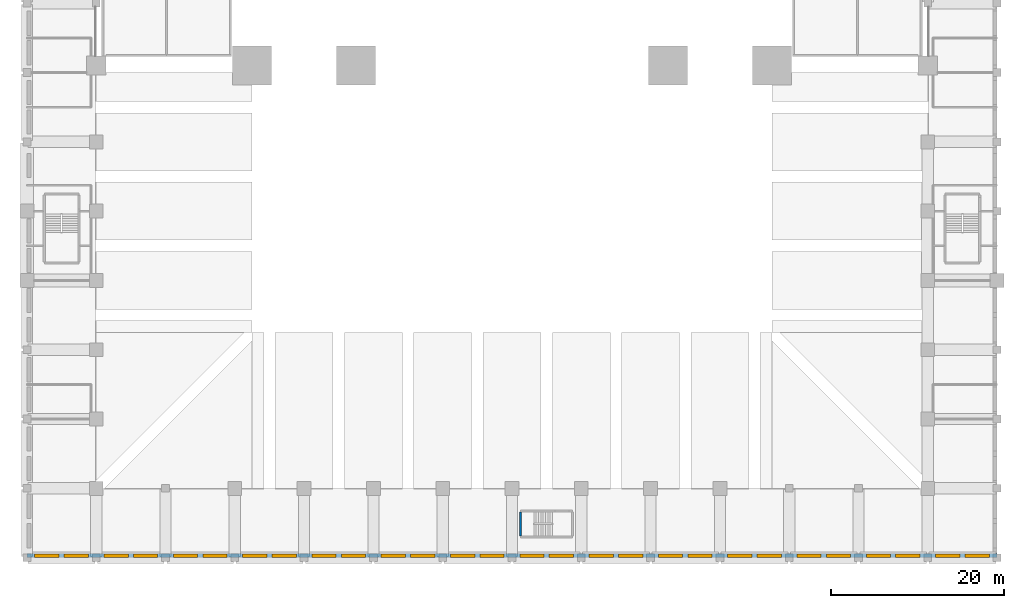
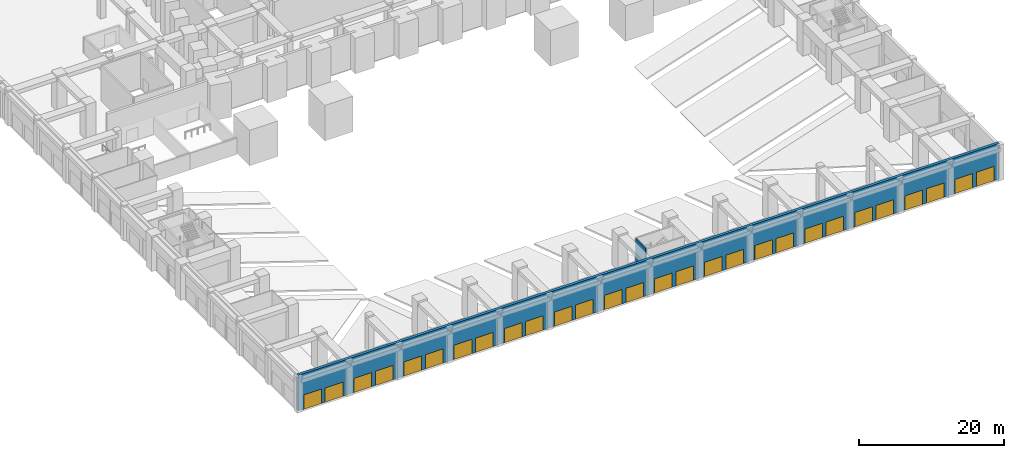
# One storey, part 7 of 28: 28 doors, 2 walls, 28 openings.
"""IFC4 building model written with IfcOpenShell, lengths in metres."""

from ifc_helpers import new_model, si_unit, direction, frame, frame_2d, origin, place, context, subcontext, project, spatial, rectangle, extrude, material, layer, layer_set, type_object, element, fill, save


model = new_model("IFC4")

# Units and contexts
model_context = context("Model", 3, precision=1e-05, world=origin(), true_north=direction((0.0, 1.0)))
body_context = subcontext(model_context, "Body", "Model", "MODEL_VIEW")
ifc_project = project(units=[si_unit("LENGTHUNIT", "METRE"), si_unit("AREAUNIT", "SQUARE_METRE"), si_unit("VOLUMEUNIT", "CUBIC_METRE"), si_unit("PLANEANGLEUNIT", "RADIAN"), si_unit("MASSUNIT", "GRAM", prefix="KILO")], contexts=[model_context])

# Site, building, storey
site_placement = place(None, origin())
site = spatial("IfcSite", under=ifc_project, at=site_placement, CompositionType="ELEMENT")
building_placement = place(site_placement, origin())
building = spatial("IfcBuilding", under=site, at=building_placement, Name="Isbrekke Arena Tower", CompositionType="ELEMENT")
storey_placement = place(building_placement, origin())
storey = spatial("IfcBuildingStorey", under=building, at=storey_placement, Name="L00", CompositionType="ELEMENT", Elevation=0.0)

# Wall, openings, doors
ifc_material_1 = material(Name="Pale brick facing on concrete backing wall", Category="masonry")
ifc_layer_1 = layer(ifc_material_1, 0.449951171875)
ifc_layer_set_1 = layer_set([ifc_layer_1], Name="EW1 PODIUM BRICK WALL 450")
wall_type_1 = type_object("IfcWallType", Name="EW1 PODIUM BRICK WALL 450", PredefinedType="SOLIDWALL", material=ifc_layer_set_1)
wall_1_placement = place(storey_placement, frame((-56.0, -73.77490234375, 0.0), z_axis=(0.0, 0.0, 1.0), x_axis=(1.0, 0.0, 0.0)))
wall_1 = element("IfcWall", 1, at=wall_1_placement, inside=storey, type_object=wall_type_1, Name="EW1 podium wall S L00", PredefinedType="SOLIDWALL", context=body_context, shape_type="SweptSolid", body=[
    extrude(rectangle(XDim=112.0, YDim=0.449951171875, at=frame_2d((56.0, 0.0))), origin(), (0.0, 0.0, 1.0), 6.0),
])
opening_1_placement = place(wall_1_placement, frame((0.89990234375, 0.0, 0.0)))
opening_1 = element("IfcOpeningElement", 2, at=opening_1_placement, cuts=wall_1, Name="Opening DE1", PredefinedType="OPENING", context=body_context, shape_type="SweptSolid", body=[
    extrude(rectangle(XDim=2.800048828125, YDim=2.39990234375, at=frame_2d((1.39990234375, 1.199951171875))), frame((0.0, 0.23974609375, 0.0), z_axis=(0.0, -1.0, 0.0), x_axis=(1.0, 0.0, 0.0)), (0.0, 0.0, 1.0), 0.479736328125),
])
opening_2_placement = place(wall_1_placement, frame((4.300048828125, 0.0, 0.0)))
opening_2 = element("IfcOpeningElement", 3, at=opening_2_placement, cuts=wall_1, Name="Opening DE1", PredefinedType="OPENING", context=body_context, shape_type="SweptSolid", body=[
    extrude(rectangle(XDim=2.800048828125, YDim=2.39990234375, at=frame_2d((1.39990234375, 1.199951171875))), frame((0.0, 0.23974609375, 0.0), z_axis=(0.0, -1.0, 0.0), x_axis=(1.0, 0.0, 0.0)), (0.0, 0.0, 1.0), 0.479736328125),
])
opening_3_placement = place(wall_1_placement, frame((8.89990234375, 0.0, 0.0)))
opening_3 = element("IfcOpeningElement", 4, at=opening_3_placement, cuts=wall_1, Name="Opening DE1", PredefinedType="OPENING", context=body_context, shape_type="SweptSolid", body=[
    extrude(rectangle(XDim=2.800048828125, YDim=2.39990234375, at=frame_2d((1.39990234375, 1.199951171875))), frame((0.0, 0.23974609375, 0.0), z_axis=(0.0, -1.0, 0.0), x_axis=(1.0, 0.0, 0.0)), (0.0, 0.0, 1.0), 0.479736328125),
])
opening_4_placement = place(wall_1_placement, frame((12.300048828125, 0.0, 0.0)))
opening_4 = element("IfcOpeningElement", 5, at=opening_4_placement, cuts=wall_1, Name="Opening DE1", PredefinedType="OPENING", context=body_context, shape_type="SweptSolid", body=[
    extrude(rectangle(XDim=2.800048828125, YDim=2.39990234375, at=frame_2d((1.39990234375, 1.199951171875))), frame((0.0, 0.23974609375, 0.0), z_axis=(0.0, -1.0, 0.0), x_axis=(1.0, 0.0, 0.0)), (0.0, 0.0, 1.0), 0.479736328125),
])
opening_5_placement = place(wall_1_placement, frame((16.89990234375, 0.0, 0.0)))
opening_5 = element("IfcOpeningElement", 6, at=opening_5_placement, cuts=wall_1, Name="Opening DE1", PredefinedType="OPENING", context=body_context, shape_type="SweptSolid", body=[
    extrude(rectangle(XDim=2.800048828125, YDim=2.39990234375, at=frame_2d((1.39990234375, 1.199951171875))), frame((0.0, 0.23974609375, 0.0), z_axis=(0.0, -1.0, 0.0), x_axis=(1.0, 0.0, 0.0)), (0.0, 0.0, 1.0), 0.479736328125),
])
opening_6_placement = place(wall_1_placement, frame((20.300048828125, 0.0, 0.0)))
opening_6 = element("IfcOpeningElement", 7, at=opening_6_placement, cuts=wall_1, Name="Opening DE1", PredefinedType="OPENING", context=body_context, shape_type="SweptSolid", body=[
    extrude(rectangle(XDim=2.800048828125, YDim=2.39990234375, at=frame_2d((1.39990234375, 1.199951171875))), frame((0.0, 0.23974609375, 0.0), z_axis=(0.0, -1.0, 0.0), x_axis=(1.0, 0.0, 0.0)), (0.0, 0.0, 1.0), 0.479736328125),
])
opening_7_placement = place(wall_1_placement, frame((24.89990234375, 0.0, 0.0)))
opening_7 = element("IfcOpeningElement", 8, at=opening_7_placement, cuts=wall_1, Name="Opening DE1", PredefinedType="OPENING", context=body_context, shape_type="SweptSolid", body=[
    extrude(rectangle(XDim=2.800048828125, YDim=2.39990234375, at=frame_2d((1.39990234375, 1.199951171875))), frame((0.0, 0.23974609375, 0.0), z_axis=(0.0, -1.0, 0.0), x_axis=(1.0, 0.0, 0.0)), (0.0, 0.0, 1.0), 0.479736328125),
])
opening_8_placement = place(wall_1_placement, frame((28.300048828125, 0.0, 0.0)))
opening_8 = element("IfcOpeningElement", 9, at=opening_8_placement, cuts=wall_1, Name="Opening DE1", PredefinedType="OPENING", context=body_context, shape_type="SweptSolid", body=[
    extrude(rectangle(XDim=2.800048828125, YDim=2.39990234375, at=frame_2d((1.39990234375, 1.199951171875))), frame((0.0, 0.23974609375, 0.0), z_axis=(0.0, -1.0, 0.0), x_axis=(1.0, 0.0, 0.0)), (0.0, 0.0, 1.0), 0.479736328125),
])
opening_9_placement = place(wall_1_placement, frame((32.89990234375, 0.0, 0.0)))
opening_9 = element("IfcOpeningElement", 10, at=opening_9_placement, cuts=wall_1, Name="Opening DE1", PredefinedType="OPENING", context=body_context, shape_type="SweptSolid", body=[
    extrude(rectangle(XDim=2.800048828125, YDim=2.39990234375, at=frame_2d((1.39990234375, 1.199951171875))), frame((0.0, 0.23974609375, 0.0), z_axis=(0.0, -1.0, 0.0), x_axis=(1.0, 0.0, 0.0)), (0.0, 0.0, 1.0), 0.479736328125),
])
opening_10_placement = place(wall_1_placement, frame((36.300048828125, 0.0, 0.0)))
opening_10 = element("IfcOpeningElement", 11, at=opening_10_placement, cuts=wall_1, Name="Opening DE1", PredefinedType="OPENING", context=body_context, shape_type="SweptSolid", body=[
    extrude(rectangle(XDim=2.800048828125, YDim=2.39990234375, at=frame_2d((1.39990234375, 1.199951171875))), frame((0.0, 0.23974609375, 0.0), z_axis=(0.0, -1.0, 0.0), x_axis=(1.0, 0.0, 0.0)), (0.0, 0.0, 1.0), 0.479736328125),
])
opening_11_placement = place(wall_1_placement, frame((40.89990234375, 0.0, 0.0)))
opening_11 = element("IfcOpeningElement", 12, at=opening_11_placement, cuts=wall_1, Name="Opening DE1", PredefinedType="OPENING", context=body_context, shape_type="SweptSolid", body=[
    extrude(rectangle(XDim=2.800048828125, YDim=2.39990234375, at=frame_2d((1.39990234375, 1.199951171875))), frame((0.0, 0.23974609375, 0.0), z_axis=(0.0, -1.0, 0.0), x_axis=(1.0, 0.0, 0.0)), (0.0, 0.0, 1.0), 0.479736328125),
])
opening_12_placement = place(wall_1_placement, frame((44.300048828125, 0.0, 0.0)))
opening_12 = element("IfcOpeningElement", 13, at=opening_12_placement, cuts=wall_1, Name="Opening DE1", PredefinedType="OPENING", context=body_context, shape_type="SweptSolid", body=[
    extrude(rectangle(XDim=2.800048828125, YDim=2.39990234375, at=frame_2d((1.39990234375, 1.199951171875))), frame((0.0, 0.23974609375, 0.0), z_axis=(0.0, -1.0, 0.0), x_axis=(1.0, 0.0, 0.0)), (0.0, 0.0, 1.0), 0.479736328125),
])
opening_13_placement = place(wall_1_placement, frame((48.89990234375, 0.0, 0.0)))
opening_13 = element("IfcOpeningElement", 14, at=opening_13_placement, cuts=wall_1, Name="Opening DE1", PredefinedType="OPENING", context=body_context, shape_type="SweptSolid", body=[
    extrude(rectangle(XDim=2.800048828125, YDim=2.39990234375, at=frame_2d((1.39990234375, 1.199951171875))), frame((0.0, 0.23974609375, 0.0), z_axis=(0.0, -1.0, 0.0), x_axis=(1.0, 0.0, 0.0)), (0.0, 0.0, 1.0), 0.479736328125),
])
opening_14_placement = place(wall_1_placement, frame((52.300048828125, 0.0, 0.0)))
opening_14 = element("IfcOpeningElement", 15, at=opening_14_placement, cuts=wall_1, Name="Opening DE1", PredefinedType="OPENING", context=body_context, shape_type="SweptSolid", body=[
    extrude(rectangle(XDim=2.800048828125, YDim=2.39990234375, at=frame_2d((1.39990234375, 1.199951171875))), frame((0.0, 0.23974609375, 0.0), z_axis=(0.0, -1.0, 0.0), x_axis=(1.0, 0.0, 0.0)), (0.0, 0.0, 1.0), 0.479736328125),
])
opening_15_placement = place(wall_1_placement, frame((56.89990234375, 0.0, 0.0)))
opening_15 = element("IfcOpeningElement", 16, at=opening_15_placement, cuts=wall_1, Name="Opening DE1", PredefinedType="OPENING", context=body_context, shape_type="SweptSolid", body=[
    extrude(rectangle(XDim=2.800048828125, YDim=2.39990234375, at=frame_2d((1.39990234375, 1.199951171875))), frame((0.0, 0.23974609375, 0.0), z_axis=(0.0, -1.0, 0.0), x_axis=(1.0, 0.0, 0.0)), (0.0, 0.0, 1.0), 0.479736328125),
])
opening_16_placement = place(wall_1_placement, frame((60.300048828125, 0.0, 0.0)))
opening_16 = element("IfcOpeningElement", 17, at=opening_16_placement, cuts=wall_1, Name="Opening DE1", PredefinedType="OPENING", context=body_context, shape_type="SweptSolid", body=[
    extrude(rectangle(XDim=2.800048828125, YDim=2.39990234375, at=frame_2d((1.39990234375, 1.199951171875))), frame((0.0, 0.23974609375, 0.0), z_axis=(0.0, -1.0, 0.0), x_axis=(1.0, 0.0, 0.0)), (0.0, 0.0, 1.0), 0.479736328125),
])
opening_17_placement = place(wall_1_placement, frame((64.89990234375, 0.0, 0.0)))
opening_17 = element("IfcOpeningElement", 18, at=opening_17_placement, cuts=wall_1, Name="Opening DE1", PredefinedType="OPENING", context=body_context, shape_type="SweptSolid", body=[
    extrude(rectangle(XDim=2.800048828125, YDim=2.39990234375, at=frame_2d((1.39990234375, 1.199951171875))), frame((0.0, 0.23974609375, 0.0), z_axis=(0.0, -1.0, 0.0), x_axis=(1.0, 0.0, 0.0)), (0.0, 0.0, 1.0), 0.479736328125),
])
opening_18_placement = place(wall_1_placement, frame((68.300048828125, 0.0, 0.0)))
opening_18 = element("IfcOpeningElement", 19, at=opening_18_placement, cuts=wall_1, Name="Opening DE1", PredefinedType="OPENING", context=body_context, shape_type="SweptSolid", body=[
    extrude(rectangle(XDim=2.800048828125, YDim=2.39990234375, at=frame_2d((1.39990234375, 1.199951171875))), frame((0.0, 0.23974609375, 0.0), z_axis=(0.0, -1.0, 0.0), x_axis=(1.0, 0.0, 0.0)), (0.0, 0.0, 1.0), 0.479736328125),
])
opening_19_placement = place(wall_1_placement, frame((72.89990234375, 0.0, 0.0)))
opening_19 = element("IfcOpeningElement", 20, at=opening_19_placement, cuts=wall_1, Name="Opening DE1", PredefinedType="OPENING", context=body_context, shape_type="SweptSolid", body=[
    extrude(rectangle(XDim=2.800048828125, YDim=2.39990234375, at=frame_2d((1.39990234375, 1.199951171875))), frame((0.0, 0.23974609375, 0.0), z_axis=(0.0, -1.0, 0.0), x_axis=(1.0, 0.0, 0.0)), (0.0, 0.0, 1.0), 0.479736328125),
])
opening_20_placement = place(wall_1_placement, frame((76.300048828125, 0.0, 0.0)))
opening_20 = element("IfcOpeningElement", 21, at=opening_20_placement, cuts=wall_1, Name="Opening DE1", PredefinedType="OPENING", context=body_context, shape_type="SweptSolid", body=[
    extrude(rectangle(XDim=2.800048828125, YDim=2.39990234375, at=frame_2d((1.39990234375, 1.199951171875))), frame((0.0, 0.23974609375, 0.0), z_axis=(0.0, -1.0, 0.0), x_axis=(1.0, 0.0, 0.0)), (0.0, 0.0, 1.0), 0.479736328125),
])
opening_21_placement = place(wall_1_placement, frame((80.89990234375, 0.0, 0.0)))
opening_21 = element("IfcOpeningElement", 22, at=opening_21_placement, cuts=wall_1, Name="Opening DE1", PredefinedType="OPENING", context=body_context, shape_type="SweptSolid", body=[
    extrude(rectangle(XDim=2.800048828125, YDim=2.39990234375, at=frame_2d((1.39990234375, 1.199951171875))), frame((0.0, 0.23974609375, 0.0), z_axis=(0.0, -1.0, 0.0), x_axis=(1.0, 0.0, 0.0)), (0.0, 0.0, 1.0), 0.479736328125),
])
opening_22_placement = place(wall_1_placement, frame((84.300048828125, 0.0, 0.0)))
opening_22 = element("IfcOpeningElement", 23, at=opening_22_placement, cuts=wall_1, Name="Opening DE1", PredefinedType="OPENING", context=body_context, shape_type="SweptSolid", body=[
    extrude(rectangle(XDim=2.800048828125, YDim=2.39990234375, at=frame_2d((1.39990234375, 1.199951171875))), frame((0.0, 0.23974609375, 0.0), z_axis=(0.0, -1.0, 0.0), x_axis=(1.0, 0.0, 0.0)), (0.0, 0.0, 1.0), 0.479736328125),
])
opening_23_placement = place(wall_1_placement, frame((88.89990234375, 0.0, 0.0)))
opening_23 = element("IfcOpeningElement", 24, at=opening_23_placement, cuts=wall_1, Name="Opening DE1", PredefinedType="OPENING", context=body_context, shape_type="SweptSolid", body=[
    extrude(rectangle(XDim=2.800048828125, YDim=2.39990234375, at=frame_2d((1.39990234375, 1.199951171875))), frame((0.0, 0.23974609375, 0.0), z_axis=(0.0, -1.0, 0.0), x_axis=(1.0, 0.0, 0.0)), (0.0, 0.0, 1.0), 0.479736328125),
])
opening_24_placement = place(wall_1_placement, frame((92.300048828125, 0.0, 0.0)))
opening_24 = element("IfcOpeningElement", 25, at=opening_24_placement, cuts=wall_1, Name="Opening DE1", PredefinedType="OPENING", context=body_context, shape_type="SweptSolid", body=[
    extrude(rectangle(XDim=2.800048828125, YDim=2.39990234375, at=frame_2d((1.39990234375, 1.199951171875))), frame((0.0, 0.23974609375, 0.0), z_axis=(0.0, -1.0, 0.0), x_axis=(1.0, 0.0, 0.0)), (0.0, 0.0, 1.0), 0.479736328125),
])
opening_25_placement = place(wall_1_placement, frame((96.89990234375, 0.0, 0.0)))
opening_25 = element("IfcOpeningElement", 26, at=opening_25_placement, cuts=wall_1, Name="Opening DE1", PredefinedType="OPENING", context=body_context, shape_type="SweptSolid", body=[
    extrude(rectangle(XDim=2.800048828125, YDim=2.39990234375, at=frame_2d((1.39990234375, 1.199951171875))), frame((0.0, 0.23974609375, 0.0), z_axis=(0.0, -1.0, 0.0), x_axis=(1.0, 0.0, 0.0)), (0.0, 0.0, 1.0), 0.479736328125),
])
opening_26_placement = place(wall_1_placement, frame((100.300048828125, 0.0, 0.0)))
opening_26 = element("IfcOpeningElement", 27, at=opening_26_placement, cuts=wall_1, Name="Opening DE1", PredefinedType="OPENING", context=body_context, shape_type="SweptSolid", body=[
    extrude(rectangle(XDim=2.800048828125, YDim=2.39990234375, at=frame_2d((1.39990234375, 1.199951171875))), frame((0.0, 0.23974609375, 0.0), z_axis=(0.0, -1.0, 0.0), x_axis=(1.0, 0.0, 0.0)), (0.0, 0.0, 1.0), 0.479736328125),
])
opening_27_placement = place(wall_1_placement, frame((104.89990234375, 0.0, 0.0)))
opening_27 = element("IfcOpeningElement", 28, at=opening_27_placement, cuts=wall_1, Name="Opening DE1", PredefinedType="OPENING", context=body_context, shape_type="SweptSolid", body=[
    extrude(rectangle(XDim=2.800048828125, YDim=2.39990234375, at=frame_2d((1.39990234375, 1.199951171875))), frame((0.0, 0.23974609375, 0.0), z_axis=(0.0, -1.0, 0.0), x_axis=(1.0, 0.0, 0.0)), (0.0, 0.0, 1.0), 0.479736328125),
])
opening_28_placement = place(wall_1_placement, frame((108.300048828125, 0.0, 0.0)))
opening_28 = element("IfcOpeningElement", 29, at=opening_28_placement, cuts=wall_1, Name="Opening DE1", PredefinedType="OPENING", context=body_context, shape_type="SweptSolid", body=[
    extrude(rectangle(XDim=2.800048828125, YDim=2.39990234375, at=frame_2d((1.39990234375, 1.199951171875))), frame((0.0, 0.23974609375, 0.0), z_axis=(0.0, -1.0, 0.0), x_axis=(1.0, 0.0, 0.0)), (0.0, 0.0, 1.0), 0.479736328125),
])
ifc_material_2 = material(Name="Steel-framed glazed double door", Category="steel")
door_type = type_object("IfcDoorType", Name="DE1 EXIT DOOR 2800 x 2400", OperationType="DOUBLE_DOOR_SINGLE_SWING", PredefinedType="DOOR", material=ifc_material_2)
door_1_placement = place(opening_1_placement, frame((2.800048828125, 0.0, 0.0), z_axis=(0.0, 0.0, 1.0), x_axis=(-1.0, 0.0, 0.0)))
door_1 = element("IfcDoor", 30, at=door_1_placement, inside=storey, type_object=door_type, Name="DE1 exit door S-1a", OperationType="DOUBLE_DOOR_SINGLE_SWING", OverallHeight=2.39990234375, OverallWidth=2.800048828125, PredefinedType="DOOR", context=body_context, shape_type="SweptSolid", body=[
    extrude(rectangle(XDim=2.800048828125, YDim=2.39990234375, at=frame_2d((1.39990234375, 1.199951171875))), frame((0.0, 0.224609375, 0.0), z_axis=(0.0, -1.0, 0.0), x_axis=(1.0, 0.0, 0.0)), (0.0, 0.0, 1.0), 0.449462890625),
])
fill(opening_1, door_1)
door_2_placement = place(opening_2_placement, frame((2.800048828125, 0.0, 0.0), z_axis=(0.0, 0.0, 1.0), x_axis=(-1.0, 0.0, 0.0)))
door_2 = element("IfcDoor", 31, at=door_2_placement, inside=storey, type_object=door_type, Name="DE1 exit door S-1b", OperationType="DOUBLE_DOOR_SINGLE_SWING", OverallHeight=2.39990234375, OverallWidth=2.800048828125, PredefinedType="DOOR", context=body_context, shape_type="SweptSolid", body=[
    extrude(rectangle(XDim=2.800048828125, YDim=2.39990234375, at=frame_2d((1.39990234375, 1.199951171875))), frame((0.0, 0.224609375, 0.0), z_axis=(0.0, -1.0, 0.0), x_axis=(1.0, 0.0, 0.0)), (0.0, 0.0, 1.0), 0.449462890625),
])
fill(opening_2, door_2)
door_3_placement = place(opening_3_placement, frame((2.800048828125, 0.0, 0.0), z_axis=(0.0, 0.0, 1.0), x_axis=(-1.0, 0.0, 0.0)))
door_3 = element("IfcDoor", 32, at=door_3_placement, inside=storey, type_object=door_type, Name="DE1 exit door S-2a", OperationType="DOUBLE_DOOR_SINGLE_SWING", OverallHeight=2.39990234375, OverallWidth=2.800048828125, PredefinedType="DOOR", context=body_context, shape_type="SweptSolid", body=[
    extrude(rectangle(XDim=2.800048828125, YDim=2.39990234375, at=frame_2d((1.39990234375, 1.199951171875))), frame((0.0, 0.224609375, 0.0), z_axis=(0.0, -1.0, 0.0), x_axis=(1.0, 0.0, 0.0)), (0.0, 0.0, 1.0), 0.449462890625),
])
fill(opening_3, door_3)
door_4_placement = place(opening_4_placement, frame((2.800048828125, 0.0, 0.0), z_axis=(0.0, 0.0, 1.0), x_axis=(-1.0, 0.0, 0.0)))
door_4 = element("IfcDoor", 33, at=door_4_placement, inside=storey, type_object=door_type, Name="DE1 exit door S-2b", OperationType="DOUBLE_DOOR_SINGLE_SWING", OverallHeight=2.39990234375, OverallWidth=2.800048828125, PredefinedType="DOOR", context=body_context, shape_type="SweptSolid", body=[
    extrude(rectangle(XDim=2.800048828125, YDim=2.39990234375, at=frame_2d((1.39990234375, 1.199951171875))), frame((0.0, 0.224609375, 0.0), z_axis=(0.0, -1.0, 0.0), x_axis=(1.0, 0.0, 0.0)), (0.0, 0.0, 1.0), 0.449462890625),
])
fill(opening_4, door_4)
door_5_placement = place(opening_5_placement, frame((2.800048828125, 0.0, 0.0), z_axis=(0.0, 0.0, 1.0), x_axis=(-1.0, 0.0, 0.0)))
door_5 = element("IfcDoor", 34, at=door_5_placement, inside=storey, type_object=door_type, Name="DE1 exit door S-3a", OperationType="DOUBLE_DOOR_SINGLE_SWING", OverallHeight=2.39990234375, OverallWidth=2.800048828125, PredefinedType="DOOR", context=body_context, shape_type="SweptSolid", body=[
    extrude(rectangle(XDim=2.800048828125, YDim=2.39990234375, at=frame_2d((1.39990234375, 1.199951171875))), frame((0.0, 0.224609375, 0.0), z_axis=(0.0, -1.0, 0.0), x_axis=(1.0, 0.0, 0.0)), (0.0, 0.0, 1.0), 0.449462890625),
])
fill(opening_5, door_5)
door_6_placement = place(opening_6_placement, frame((2.800048828125, 0.0, 0.0), z_axis=(0.0, 0.0, 1.0), x_axis=(-1.0, 0.0, 0.0)))
door_6 = element("IfcDoor", 35, at=door_6_placement, inside=storey, type_object=door_type, Name="DE1 exit door S-3b", OperationType="DOUBLE_DOOR_SINGLE_SWING", OverallHeight=2.39990234375, OverallWidth=2.800048828125, PredefinedType="DOOR", context=body_context, shape_type="SweptSolid", body=[
    extrude(rectangle(XDim=2.800048828125, YDim=2.39990234375, at=frame_2d((1.39990234375, 1.199951171875))), frame((0.0, 0.224609375, 0.0), z_axis=(0.0, -1.0, 0.0), x_axis=(1.0, 0.0, 0.0)), (0.0, 0.0, 1.0), 0.449462890625),
])
fill(opening_6, door_6)
door_7_placement = place(opening_7_placement, frame((2.800048828125, 0.0, 0.0), z_axis=(0.0, 0.0, 1.0), x_axis=(-1.0, 0.0, 0.0)))
door_7 = element("IfcDoor", 36, at=door_7_placement, inside=storey, type_object=door_type, Name="DE1 exit door S-4a", OperationType="DOUBLE_DOOR_SINGLE_SWING", OverallHeight=2.39990234375, OverallWidth=2.800048828125, PredefinedType="DOOR", context=body_context, shape_type="SweptSolid", body=[
    extrude(rectangle(XDim=2.800048828125, YDim=2.39990234375, at=frame_2d((1.39990234375, 1.199951171875))), frame((0.0, 0.224609375, 0.0), z_axis=(0.0, -1.0, 0.0), x_axis=(1.0, 0.0, 0.0)), (0.0, 0.0, 1.0), 0.449462890625),
])
fill(opening_7, door_7)
door_8_placement = place(opening_8_placement, frame((2.800048828125, 0.0, 0.0), z_axis=(0.0, 0.0, 1.0), x_axis=(-1.0, 0.0, 0.0)))
door_8 = element("IfcDoor", 37, at=door_8_placement, inside=storey, type_object=door_type, Name="DE1 exit door S-4b", OperationType="DOUBLE_DOOR_SINGLE_SWING", OverallHeight=2.39990234375, OverallWidth=2.800048828125, PredefinedType="DOOR", context=body_context, shape_type="SweptSolid", body=[
    extrude(rectangle(XDim=2.800048828125, YDim=2.39990234375, at=frame_2d((1.39990234375, 1.199951171875))), frame((0.0, 0.224609375, 0.0), z_axis=(0.0, -1.0, 0.0), x_axis=(1.0, 0.0, 0.0)), (0.0, 0.0, 1.0), 0.449462890625),
])
fill(opening_8, door_8)
door_9_placement = place(opening_9_placement, frame((2.800048828125, 0.0, 0.0), z_axis=(0.0, 0.0, 1.0), x_axis=(-1.0, 0.0, 0.0)))
door_9 = element("IfcDoor", 38, at=door_9_placement, inside=storey, type_object=door_type, Name="DE1 exit door S-5a", OperationType="DOUBLE_DOOR_SINGLE_SWING", OverallHeight=2.39990234375, OverallWidth=2.800048828125, PredefinedType="DOOR", context=body_context, shape_type="SweptSolid", body=[
    extrude(rectangle(XDim=2.800048828125, YDim=2.39990234375, at=frame_2d((1.39990234375, 1.199951171875))), frame((0.0, 0.224609375, 0.0), z_axis=(0.0, -1.0, 0.0), x_axis=(1.0, 0.0, 0.0)), (0.0, 0.0, 1.0), 0.449462890625),
])
fill(opening_9, door_9)
door_10_placement = place(opening_10_placement, frame((2.800048828125, 0.0, 0.0), z_axis=(0.0, 0.0, 1.0), x_axis=(-1.0, 0.0, 0.0)))
door_10 = element("IfcDoor", 39, at=door_10_placement, inside=storey, type_object=door_type, Name="DE1 exit door S-5b", OperationType="DOUBLE_DOOR_SINGLE_SWING", OverallHeight=2.39990234375, OverallWidth=2.800048828125, PredefinedType="DOOR", context=body_context, shape_type="SweptSolid", body=[
    extrude(rectangle(XDim=2.800048828125, YDim=2.39990234375, at=frame_2d((1.39990234375, 1.199951171875))), frame((0.0, 0.224609375, 0.0), z_axis=(0.0, -1.0, 0.0), x_axis=(1.0, 0.0, 0.0)), (0.0, 0.0, 1.0), 0.449462890625),
])
fill(opening_10, door_10)
door_11_placement = place(opening_11_placement, frame((2.800048828125, 0.0, 0.0), z_axis=(0.0, 0.0, 1.0), x_axis=(-1.0, 0.0, 0.0)))
door_11 = element("IfcDoor", 40, at=door_11_placement, inside=storey, type_object=door_type, Name="DE1 exit door S-6a", OperationType="DOUBLE_DOOR_SINGLE_SWING", OverallHeight=2.39990234375, OverallWidth=2.800048828125, PredefinedType="DOOR", context=body_context, shape_type="SweptSolid", body=[
    extrude(rectangle(XDim=2.800048828125, YDim=2.39990234375, at=frame_2d((1.39990234375, 1.199951171875))), frame((0.0, 0.224609375, 0.0), z_axis=(0.0, -1.0, 0.0), x_axis=(1.0, 0.0, 0.0)), (0.0, 0.0, 1.0), 0.449462890625),
])
fill(opening_11, door_11)
door_12_placement = place(opening_12_placement, frame((2.800048828125, 0.0, 0.0), z_axis=(0.0, 0.0, 1.0), x_axis=(-1.0, 0.0, 0.0)))
door_12 = element("IfcDoor", 41, at=door_12_placement, inside=storey, type_object=door_type, Name="DE1 exit door S-6b", OperationType="DOUBLE_DOOR_SINGLE_SWING", OverallHeight=2.39990234375, OverallWidth=2.800048828125, PredefinedType="DOOR", context=body_context, shape_type="SweptSolid", body=[
    extrude(rectangle(XDim=2.800048828125, YDim=2.39990234375, at=frame_2d((1.39990234375, 1.199951171875))), frame((0.0, 0.224609375, 0.0), z_axis=(0.0, -1.0, 0.0), x_axis=(1.0, 0.0, 0.0)), (0.0, 0.0, 1.0), 0.449462890625),
])
fill(opening_12, door_12)
door_13_placement = place(opening_13_placement, frame((2.800048828125, 0.0, 0.0), z_axis=(0.0, 0.0, 1.0), x_axis=(-1.0, 0.0, 0.0)))
door_13 = element("IfcDoor", 42, at=door_13_placement, inside=storey, type_object=door_type, Name="DE1 exit door S-7a", OperationType="DOUBLE_DOOR_SINGLE_SWING", OverallHeight=2.39990234375, OverallWidth=2.800048828125, PredefinedType="DOOR", context=body_context, shape_type="SweptSolid", body=[
    extrude(rectangle(XDim=2.800048828125, YDim=2.39990234375, at=frame_2d((1.39990234375, 1.199951171875))), frame((0.0, 0.224609375, 0.0), z_axis=(0.0, -1.0, 0.0), x_axis=(1.0, 0.0, 0.0)), (0.0, 0.0, 1.0), 0.449462890625),
])
fill(opening_13, door_13)
door_14_placement = place(opening_14_placement, frame((2.800048828125, 0.0, 0.0), z_axis=(0.0, 0.0, 1.0), x_axis=(-1.0, 0.0, 0.0)))
door_14 = element("IfcDoor", 43, at=door_14_placement, inside=storey, type_object=door_type, Name="DE1 exit door S-7b", OperationType="DOUBLE_DOOR_SINGLE_SWING", OverallHeight=2.39990234375, OverallWidth=2.800048828125, PredefinedType="DOOR", context=body_context, shape_type="SweptSolid", body=[
    extrude(rectangle(XDim=2.800048828125, YDim=2.39990234375, at=frame_2d((1.39990234375, 1.199951171875))), frame((0.0, 0.224609375, 0.0), z_axis=(0.0, -1.0, 0.0), x_axis=(1.0, 0.0, 0.0)), (0.0, 0.0, 1.0), 0.449462890625),
])
fill(opening_14, door_14)
door_15_placement = place(opening_15_placement, frame((2.800048828125, 0.0, 0.0), z_axis=(0.0, 0.0, 1.0), x_axis=(-1.0, 0.0, 0.0)))
door_15 = element("IfcDoor", 44, at=door_15_placement, inside=storey, type_object=door_type, Name="DE1 exit door S-8a", OperationType="DOUBLE_DOOR_SINGLE_SWING", OverallHeight=2.39990234375, OverallWidth=2.800048828125, PredefinedType="DOOR", context=body_context, shape_type="SweptSolid", body=[
    extrude(rectangle(XDim=2.800048828125, YDim=2.39990234375, at=frame_2d((1.39990234375, 1.199951171875))), frame((0.0, 0.224609375, 0.0), z_axis=(0.0, -1.0, 0.0), x_axis=(1.0, 0.0, 0.0)), (0.0, 0.0, 1.0), 0.449462890625),
])
fill(opening_15, door_15)
door_16_placement = place(opening_16_placement, frame((2.800048828125, 0.0, 0.0), z_axis=(0.0, 0.0, 1.0), x_axis=(-1.0, 0.0, 0.0)))
door_16 = element("IfcDoor", 45, at=door_16_placement, inside=storey, type_object=door_type, Name="DE1 exit door S-8b", OperationType="DOUBLE_DOOR_SINGLE_SWING", OverallHeight=2.39990234375, OverallWidth=2.800048828125, PredefinedType="DOOR", context=body_context, shape_type="SweptSolid", body=[
    extrude(rectangle(XDim=2.800048828125, YDim=2.39990234375, at=frame_2d((1.39990234375, 1.199951171875))), frame((0.0, 0.224609375, 0.0), z_axis=(0.0, -1.0, 0.0), x_axis=(1.0, 0.0, 0.0)), (0.0, 0.0, 1.0), 0.449462890625),
])
fill(opening_16, door_16)
door_17_placement = place(opening_17_placement, frame((2.800048828125, 0.0, 0.0), z_axis=(0.0, 0.0, 1.0), x_axis=(-1.0, 0.0, 0.0)))
door_17 = element("IfcDoor", 46, at=door_17_placement, inside=storey, type_object=door_type, Name="DE1 exit door S-9a", OperationType="DOUBLE_DOOR_SINGLE_SWING", OverallHeight=2.39990234375, OverallWidth=2.800048828125, PredefinedType="DOOR", context=body_context, shape_type="SweptSolid", body=[
    extrude(rectangle(XDim=2.800048828125, YDim=2.39990234375, at=frame_2d((1.39990234375, 1.199951171875))), frame((0.0, 0.224609375, 0.0), z_axis=(0.0, -1.0, 0.0), x_axis=(1.0, 0.0, 0.0)), (0.0, 0.0, 1.0), 0.449462890625),
])
fill(opening_17, door_17)
door_18_placement = place(opening_18_placement, frame((2.800048828125, 0.0, 0.0), z_axis=(0.0, 0.0, 1.0), x_axis=(-1.0, 0.0, 0.0)))
door_18 = element("IfcDoor", 47, at=door_18_placement, inside=storey, type_object=door_type, Name="DE1 exit door S-9b", OperationType="DOUBLE_DOOR_SINGLE_SWING", OverallHeight=2.39990234375, OverallWidth=2.800048828125, PredefinedType="DOOR", context=body_context, shape_type="SweptSolid", body=[
    extrude(rectangle(XDim=2.800048828125, YDim=2.39990234375, at=frame_2d((1.39990234375, 1.199951171875))), frame((0.0, 0.224609375, 0.0), z_axis=(0.0, -1.0, 0.0), x_axis=(1.0, 0.0, 0.0)), (0.0, 0.0, 1.0), 0.449462890625),
])
fill(opening_18, door_18)
door_19_placement = place(opening_19_placement, frame((2.800048828125, 0.0, 0.0), z_axis=(0.0, 0.0, 1.0), x_axis=(-1.0, 0.0, 0.0)))
door_19 = element("IfcDoor", 48, at=door_19_placement, inside=storey, type_object=door_type, Name="DE1 exit door S-10a", OperationType="DOUBLE_DOOR_SINGLE_SWING", OverallHeight=2.39990234375, OverallWidth=2.800048828125, PredefinedType="DOOR", context=body_context, shape_type="SweptSolid", body=[
    extrude(rectangle(XDim=2.800048828125, YDim=2.39990234375, at=frame_2d((1.39990234375, 1.199951171875))), frame((0.0, 0.224609375, 0.0), z_axis=(0.0, -1.0, 0.0), x_axis=(1.0, 0.0, 0.0)), (0.0, 0.0, 1.0), 0.449462890625),
])
fill(opening_19, door_19)
door_20_placement = place(opening_20_placement, frame((2.800048828125, 0.0, 0.0), z_axis=(0.0, 0.0, 1.0), x_axis=(-1.0, 0.0, 0.0)))
door_20 = element("IfcDoor", 49, at=door_20_placement, inside=storey, type_object=door_type, Name="DE1 exit door S-10b", OperationType="DOUBLE_DOOR_SINGLE_SWING", OverallHeight=2.39990234375, OverallWidth=2.800048828125, PredefinedType="DOOR", context=body_context, shape_type="SweptSolid", body=[
    extrude(rectangle(XDim=2.800048828125, YDim=2.39990234375, at=frame_2d((1.39990234375, 1.199951171875))), frame((0.0, 0.224609375, 0.0), z_axis=(0.0, -1.0, 0.0), x_axis=(1.0, 0.0, 0.0)), (0.0, 0.0, 1.0), 0.449462890625),
])
fill(opening_20, door_20)
door_21_placement = place(opening_21_placement, frame((2.800048828125, 0.0, 0.0), z_axis=(0.0, 0.0, 1.0), x_axis=(-1.0, 0.0, 0.0)))
door_21 = element("IfcDoor", 50, at=door_21_placement, inside=storey, type_object=door_type, Name="DE1 exit door S-11a", OperationType="DOUBLE_DOOR_SINGLE_SWING", OverallHeight=2.39990234375, OverallWidth=2.800048828125, PredefinedType="DOOR", context=body_context, shape_type="SweptSolid", body=[
    extrude(rectangle(XDim=2.800048828125, YDim=2.39990234375, at=frame_2d((1.39990234375, 1.199951171875))), frame((0.0, 0.224609375, 0.0), z_axis=(0.0, -1.0, 0.0), x_axis=(1.0, 0.0, 0.0)), (0.0, 0.0, 1.0), 0.449462890625),
])
fill(opening_21, door_21)
door_22_placement = place(opening_22_placement, frame((2.800048828125, 0.0, 0.0), z_axis=(0.0, 0.0, 1.0), x_axis=(-1.0, 0.0, 0.0)))
door_22 = element("IfcDoor", 51, at=door_22_placement, inside=storey, type_object=door_type, Name="DE1 exit door S-11b", OperationType="DOUBLE_DOOR_SINGLE_SWING", OverallHeight=2.39990234375, OverallWidth=2.800048828125, PredefinedType="DOOR", context=body_context, shape_type="SweptSolid", body=[
    extrude(rectangle(XDim=2.800048828125, YDim=2.39990234375, at=frame_2d((1.39990234375, 1.199951171875))), frame((0.0, 0.224609375, 0.0), z_axis=(0.0, -1.0, 0.0), x_axis=(1.0, 0.0, 0.0)), (0.0, 0.0, 1.0), 0.449462890625),
])
fill(opening_22, door_22)
door_23_placement = place(opening_23_placement, frame((2.800048828125, 0.0, 0.0), z_axis=(0.0, 0.0, 1.0), x_axis=(-1.0, 0.0, 0.0)))
door_23 = element("IfcDoor", 52, at=door_23_placement, inside=storey, type_object=door_type, Name="DE1 exit door S-12a", OperationType="DOUBLE_DOOR_SINGLE_SWING", OverallHeight=2.39990234375, OverallWidth=2.800048828125, PredefinedType="DOOR", context=body_context, shape_type="SweptSolid", body=[
    extrude(rectangle(XDim=2.800048828125, YDim=2.39990234375, at=frame_2d((1.39990234375, 1.199951171875))), frame((0.0, 0.224609375, 0.0), z_axis=(0.0, -1.0, 0.0), x_axis=(1.0, 0.0, 0.0)), (0.0, 0.0, 1.0), 0.449462890625),
])
fill(opening_23, door_23)
door_24_placement = place(opening_24_placement, frame((2.800048828125, 0.0, 0.0), z_axis=(0.0, 0.0, 1.0), x_axis=(-1.0, 0.0, 0.0)))
door_24 = element("IfcDoor", 53, at=door_24_placement, inside=storey, type_object=door_type, Name="DE1 exit door S-12b", OperationType="DOUBLE_DOOR_SINGLE_SWING", OverallHeight=2.39990234375, OverallWidth=2.800048828125, PredefinedType="DOOR", context=body_context, shape_type="SweptSolid", body=[
    extrude(rectangle(XDim=2.800048828125, YDim=2.39990234375, at=frame_2d((1.39990234375, 1.199951171875))), frame((0.0, 0.224609375, 0.0), z_axis=(0.0, -1.0, 0.0), x_axis=(1.0, 0.0, 0.0)), (0.0, 0.0, 1.0), 0.449462890625),
])
fill(opening_24, door_24)
door_25_placement = place(opening_25_placement, frame((2.800048828125, 0.0, 0.0), z_axis=(0.0, 0.0, 1.0), x_axis=(-1.0, 0.0, 0.0)))
door_25 = element("IfcDoor", 54, at=door_25_placement, inside=storey, type_object=door_type, Name="DE1 exit door S-13a", OperationType="DOUBLE_DOOR_SINGLE_SWING", OverallHeight=2.39990234375, OverallWidth=2.800048828125, PredefinedType="DOOR", context=body_context, shape_type="SweptSolid", body=[
    extrude(rectangle(XDim=2.800048828125, YDim=2.39990234375, at=frame_2d((1.39990234375, 1.199951171875))), frame((0.0, 0.224609375, 0.0), z_axis=(0.0, -1.0, 0.0), x_axis=(1.0, 0.0, 0.0)), (0.0, 0.0, 1.0), 0.449462890625),
])
fill(opening_25, door_25)
door_26_placement = place(opening_26_placement, frame((2.800048828125, 0.0, 0.0), z_axis=(0.0, 0.0, 1.0), x_axis=(-1.0, 0.0, 0.0)))
door_26 = element("IfcDoor", 55, at=door_26_placement, inside=storey, type_object=door_type, Name="DE1 exit door S-13b", OperationType="DOUBLE_DOOR_SINGLE_SWING", OverallHeight=2.39990234375, OverallWidth=2.800048828125, PredefinedType="DOOR", context=body_context, shape_type="SweptSolid", body=[
    extrude(rectangle(XDim=2.800048828125, YDim=2.39990234375, at=frame_2d((1.39990234375, 1.199951171875))), frame((0.0, 0.224609375, 0.0), z_axis=(0.0, -1.0, 0.0), x_axis=(1.0, 0.0, 0.0)), (0.0, 0.0, 1.0), 0.449462890625),
])
fill(opening_26, door_26)
door_27_placement = place(opening_27_placement, frame((2.800048828125, 0.0, 0.0), z_axis=(0.0, 0.0, 1.0), x_axis=(-1.0, 0.0, 0.0)))
door_27 = element("IfcDoor", 56, at=door_27_placement, inside=storey, type_object=door_type, Name="DE1 exit door S-14a", OperationType="DOUBLE_DOOR_SINGLE_SWING", OverallHeight=2.39990234375, OverallWidth=2.800048828125, PredefinedType="DOOR", context=body_context, shape_type="SweptSolid", body=[
    extrude(rectangle(XDim=2.800048828125, YDim=2.39990234375, at=frame_2d((1.39990234375, 1.199951171875))), frame((0.0, 0.224609375, 0.0), z_axis=(0.0, -1.0, 0.0), x_axis=(1.0, 0.0, 0.0)), (0.0, 0.0, 1.0), 0.449462890625),
])
fill(opening_27, door_27)
door_28_placement = place(opening_28_placement, frame((2.800048828125, 0.0, 0.0), z_axis=(0.0, 0.0, 1.0), x_axis=(-1.0, 0.0, 0.0)))
door_28 = element("IfcDoor", 57, at=door_28_placement, inside=storey, type_object=door_type, Name="DE1 exit door S-14b", OperationType="DOUBLE_DOOR_SINGLE_SWING", OverallHeight=2.39990234375, OverallWidth=2.800048828125, PredefinedType="DOOR", context=body_context, shape_type="SweptSolid", body=[
    extrude(rectangle(XDim=2.800048828125, YDim=2.39990234375, at=frame_2d((1.39990234375, 1.199951171875))), frame((0.0, 0.224609375, 0.0), z_axis=(0.0, -1.0, 0.0), x_axis=(1.0, 0.0, 0.0)), (0.0, 0.0, 1.0), 0.449462890625),
])
fill(opening_28, door_28)

# Wall
ifc_material_3 = material(Name="Concrete B45 (C45/55)", Category="concrete")
ifc_layer_2 = layer(ifc_material_3, 0.25)
ifc_layer_set_2 = layer_set([ifc_layer_2], Name="SW1 STAIR ENCLOSURE WALL 250")
wall_type_2 = type_object("IfcWallType", Name="SW1 STAIR ENCLOSURE WALL 250", PredefinedType="SOLIDWALL", material=ifc_layer_set_2)
wall_2_placement = place(storey_placement, frame((1.0, -68.72509765625, 0.0), z_axis=(0.0, 0.0, 1.0), x_axis=(0.0, -1.0, 0.0)))
element("IfcWall", 58, at=wall_2_placement, inside=storey, type_object=wall_type_2, Name="SW1 stair wall P5 W L00", PredefinedType="SOLIDWALL", context=body_context, shape_type="SweptSolid", body=[
    extrude(rectangle(XDim=2.75, YDim=0.25, at=frame_2d((1.375, 0.0))), origin(), (0.0, 0.0, 1.0), 6.0),
])

save(model, "model.ifc")
